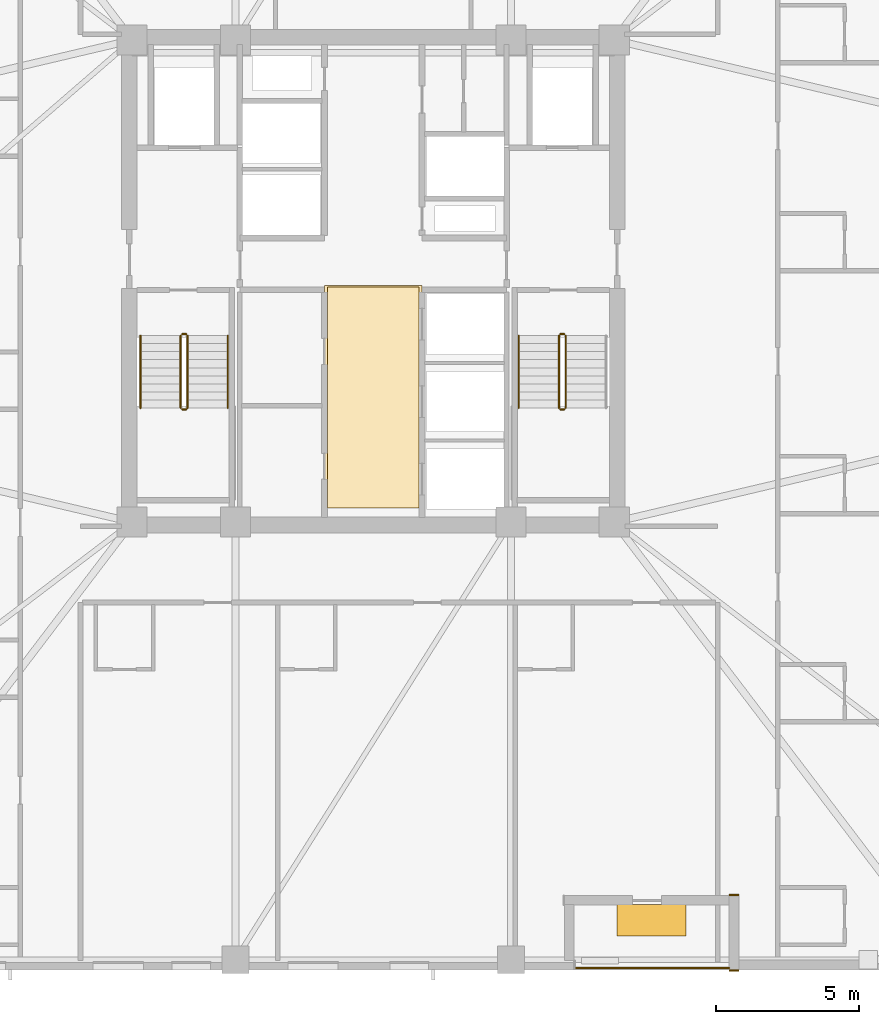
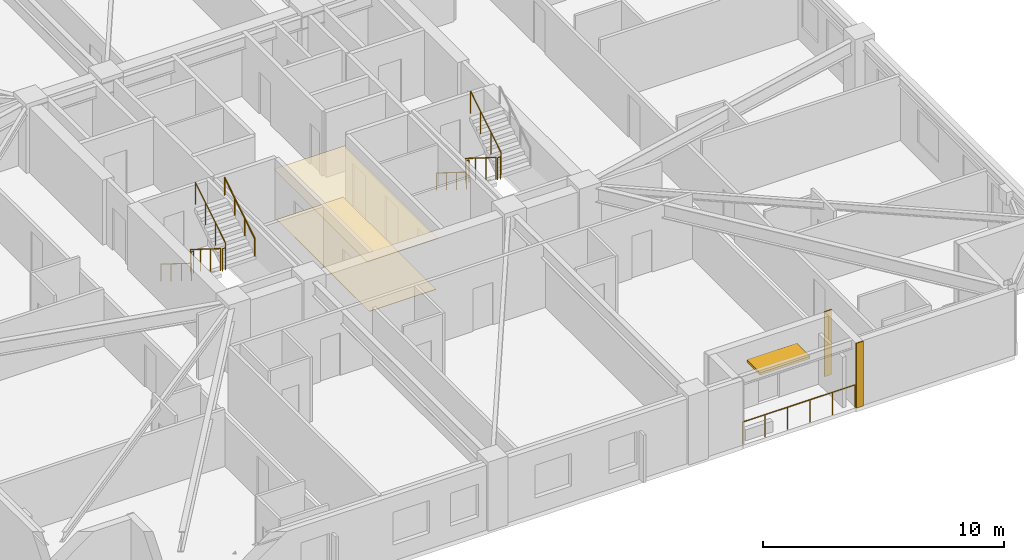
# One storey, part 8 of 11: 12 railings, 4 coverings, 1 shading device.
"""IFC4 building model written with IfcOpenShell, lengths in metres."""

from ifc_helpers import new_model, si_unit, direction, frame, frame_2d, origin, origin_2d, place, context, subcontext, project, spatial, polyline, rectangle, circle, outline, extrude, material, layer, layer_set, type_object, element, save


model = new_model("IFC4")

# Units and contexts
model_context = context("Model", 3, precision=1e-05, world=origin(), true_north=direction((0.0, 1.0)))
body_context = subcontext(model_context, "Body", "Model", "MODEL_VIEW")
ifc_project = project(units=[si_unit("LENGTHUNIT", "METRE"), si_unit("AREAUNIT", "SQUARE_METRE"), si_unit("VOLUMEUNIT", "CUBIC_METRE"), si_unit("PLANEANGLEUNIT", "RADIAN"), si_unit("MASSUNIT", "GRAM", prefix="KILO")], contexts=[model_context])

# Site, building, storey
site_placement = place(None, origin())
site = spatial("IfcSite", under=ifc_project, at=site_placement, CompositionType="ELEMENT")
building_placement = place(site_placement, origin())
building = spatial("IfcBuilding", under=site, at=building_placement, Name="Cairnveth Concourse Tower", CompositionType="ELEMENT")
storey_placement = place(building_placement, frame((0.0, 0.0, 169.0)))
storey = spatial("IfcBuildingStorey", under=building, at=storey_placement, Name="L46", CompositionType="ELEMENT", Elevation=169.0)

# Coverings
ifc_material_1 = material(Name="Acoustic Mineral Fibre Ceiling", Category="gypsum")
ifc_layer_1 = layer(ifc_material_1, 0.02490234375)
ifc_layer_set_1 = layer_set([ifc_layer_1], Name="Acoustic Mineral Fibre Ceiling")
covering_type_1 = type_object("IfcCoveringType", Name="ACOUSTIC MINERAL FIBRE CEILING 25", PredefinedType="CEILING", material=ifc_layer_set_1)
covering_1_placement = place(storey_placement, frame((0.0, 0.0, 2.5400390625)))
element("IfcCovering", 1, at=covering_1_placement, inside=storey, type_object=covering_type_1, Name="Lift Lobby Acoustic Ceiling L46", PredefinedType="CEILING", context=body_context, shape_type="SweptSolid", body=[
    extrude(outline(polyline([(50.300048828125, 31.10009765625), (53.699951171875, 31.10009765625), (53.699951171875, 38.85009765625), (50.300048828125, 38.85009765625), (50.300048828125, 31.10009765625)])), origin(), (0.0, 0.0, 1.0), 0.02490234375),
])
ifc_material_2 = material(Name="Dressed Melbourne Bluestone Cladding", Category="masonry")
ifc_layer_2 = layer(ifc_material_2, 0.050048828125)
ifc_layer_set_2 = layer_set([ifc_layer_2], Name="Dressed Melbourne Bluestone Cladding")
covering_type_2 = type_object("IfcCoveringType", Name="DRESSED BLUESTONE PLINTH CLADDING 50", PredefinedType="CLADDING", material=ifc_layer_set_2)
for number, where, z_axis, x_axis, name in (
    (2, (64.739990234375, 14.97998046875, 0.0), (0.0, 0.0, 1.0), (-1.0, 0.0, 0.0), "Melbourne Bluestone Corner Quoin L46-688"),
    (3, (64.739990234375, 17.610107421875, 0.0), (0.0, 0.0, 1.0), (-1.0, 0.0, 0.0), "Melbourne Bluestone Corner Quoin L46-689"),
):
    element("IfcCovering", number, at=place(storey_placement, frame(where, z_axis=z_axis, x_axis=x_axis)), inside=storey, type_object=covering_type_2, Name=name, PredefinedType="CLADDING", context=body_context, shape_type="SweptSolid", body=[
        extrude(rectangle(XDim=0.340087890625, YDim=0.050048828125, at=frame_2d((0.169921875, 0.0))), origin(), (0.0, 0.0, 1.0), 3.280029296875),
    ])

# Shading device
ifc_material_3 = material(Name="Architectural Bronze Anodised Aluminium 6063-T6", Category="aluminium")
shading_device_type = type_object("IfcShadingDeviceType", Name="SPIRAL TERRACE SUNSHADE CANOPY", PredefinedType="USERDEFINED", material=ifc_material_3)
shading_device_placement = place(storey_placement, frame((61.699951171875, 16.72998046875, 2.300048828125), z_axis=(0.0, 0.0, 1.0), x_axis=(1.0, 0.0, 0.0)))
element("IfcShadingDevice", 4, at=shading_device_placement, inside=storey, type_object=shading_device_type, Name="Spiral Terrace Sunshade L46", ObjectType="TERRACE SUNSHADE", PredefinedType="USERDEFINED", context=body_context, shape_type="SweptSolid", body=[
    extrude(rectangle(XDim=2.39990234375, YDim=1.10009765625, at=origin_2d()), origin(), (0.0, 0.0, 1.0), 0.1201171875),
])

# Railings
ifc_material_4 = material(Name="Steel Grade 350", Category="steel")
railing_type_1 = type_object("IfcRailingType", Name="STAIR GUARDRAIL 1150", PredefinedType="GUARDRAIL", material=ifc_material_4)
railing_1_placement = place(storey_placement, frame((45.2900390625, 37.10009765625, 0.175048828125)))
element("IfcRailing", 5, at=railing_1_placement, inside=storey, type_object=railing_type_1, Name="L46 ST-1 stair guard 1", PredefinedType="GUARDRAIL", context=body_context, shape_type="SweptSolid", body=[
    extrude(circle(Radius=0.02392578125, at=origin_2d()), frame((0.0, 0.0, 1.1259765625), z_axis=(0.0, -0.848007534815, 0.529984170421), x_axis=(1.0, 0.0, 0.0)), (0.0, 0.0, 1.0), 2.9716796875),
    extrude(circle(Radius=0.02099609375, at=origin_2d()), origin(), (0.0, 0.0, 1.0), 1.101806640625),
    extrude(circle(Radius=0.02099609375, at=origin_2d()), frame((0.0, -0.840087890625, 0.52490234375)), (0.0, 0.0, 1.0), 1.101806640625),
    extrude(circle(Radius=0.02099609375, at=origin_2d()), frame((0.0, -1.679931640625, 1.050048828125)), (0.0, 0.0, 1.0), 1.101806640625),
    extrude(circle(Radius=0.02099609375, at=origin_2d()), frame((0.0, -2.52001953125, 1.574951171875)), (0.0, 0.0, 1.0), 1.101806640625),
])
railing_2_placement = place(storey_placement, frame((45.340087890625, 34.530029296875, 1.75)))
element("IfcRailing", 6, at=railing_2_placement, inside=storey, type_object=railing_type_1, Name="L46 ST-1 stair guard 2", PredefinedType="GUARDRAIL", context=body_context, shape_type="SweptSolid", body=[
    extrude(circle(Radius=0.02392578125, at=origin_2d()), frame((0.0, 0.0, 1.1259765625), z_axis=(1.0, 0.0, 0.0), x_axis=(0.0, 1.0, 0.0)), (0.0, 0.0, 1.0), 0.139892578125),
    extrude(circle(Radius=0.02099609375, at=origin_2d()), origin(), (0.0, 0.0, 1.0), 1.101806640625),
    extrude(circle(Radius=0.02099609375, at=origin_2d()), frame((0.139892578125, 0.0, 0.0)), (0.0, 0.0, 1.0), 1.101806640625),
])
railing_3_placement = place(storey_placement, frame((45.530029296875, 34.580078125, 1.925048828125)))
element("IfcRailing", 7, at=railing_3_placement, inside=storey, type_object=railing_type_1, Name="L46 ST-1 stair guard 3", PredefinedType="GUARDRAIL", context=body_context, shape_type="SweptSolid", body=[
    extrude(circle(Radius=0.02392578125, at=origin_2d()), frame((0.0, 0.0, 1.1259765625), z_axis=(0.0, 0.848007534815, 0.529984170421), x_axis=(-1.0, 0.0, 0.0)), (0.0, 0.0, 1.0), 2.9716796875),
    extrude(circle(Radius=0.02099609375, at=origin_2d()), origin(), (0.0, 0.0, 1.0), 1.101806640625),
    extrude(circle(Radius=0.02099609375, at=origin_2d()), frame((0.0, 0.840087890625, 0.52490234375)), (0.0, 0.0, 1.0), 1.101806640625),
    extrude(circle(Radius=0.02099609375, at=origin_2d()), frame((0.0, 1.679931640625, 1.050048828125)), (0.0, 0.0, 1.0), 1.101806640625),
    extrude(circle(Radius=0.02099609375, at=origin_2d()), frame((0.0, 2.52001953125, 1.574951171875)), (0.0, 0.0, 1.0), 1.101806640625),
])
railing_4_placement = place(storey_placement, frame((45.340087890625, 37.14990234375, 0.0)))
element("IfcRailing", 8, at=railing_4_placement, inside=storey, type_object=railing_type_1, Name="L46 ST-1 stair guard 4", PredefinedType="GUARDRAIL", context=body_context, shape_type="SweptSolid", body=[
    extrude(circle(Radius=0.02392578125, at=origin_2d()), frame((0.0, 0.0, 1.1259765625), z_axis=(1.0, 0.0, 0.0), x_axis=(0.0, 1.0, 0.0)), (0.0, 0.0, 1.0), 0.139892578125),
    extrude(circle(Radius=0.02099609375, at=origin_2d()), origin(), (0.0, 0.0, 1.0), 1.101806640625),
    extrude(circle(Radius=0.02099609375, at=origin_2d()), frame((0.139892578125, 0.0, 0.0)), (0.0, 0.0, 1.0), 1.101806640625),
])
railing_5_placement = place(storey_placement, frame((58.469970703125, 37.10009765625, 0.175048828125)))
element("IfcRailing", 9, at=railing_5_placement, inside=storey, type_object=railing_type_1, Name="L46 ST-2 stair guard 1", PredefinedType="GUARDRAIL", context=body_context, shape_type="SweptSolid", body=[
    extrude(circle(Radius=0.02392578125, at=origin_2d()), frame((0.0, 0.0, 1.1259765625), z_axis=(0.0, -0.848007534815, 0.529984170421), x_axis=(1.0, 0.0, 0.0)), (0.0, 0.0, 1.0), 2.9716796875),
    extrude(circle(Radius=0.02099609375, at=origin_2d()), origin(), (0.0, 0.0, 1.0), 1.101806640625),
    extrude(circle(Radius=0.02099609375, at=origin_2d()), frame((0.0, -0.840087890625, 0.52490234375)), (0.0, 0.0, 1.0), 1.101806640625),
    extrude(circle(Radius=0.02099609375, at=origin_2d()), frame((0.0, -1.679931640625, 1.050048828125)), (0.0, 0.0, 1.0), 1.101806640625),
    extrude(circle(Radius=0.02099609375, at=origin_2d()), frame((0.0, -2.52001953125, 1.574951171875)), (0.0, 0.0, 1.0), 1.101806640625),
])
railing_6_placement = place(storey_placement, frame((58.52001953125, 34.530029296875, 1.75)))
element("IfcRailing", 10, at=railing_6_placement, inside=storey, type_object=railing_type_1, Name="L46 ST-2 stair guard 2", PredefinedType="GUARDRAIL", context=body_context, shape_type="SweptSolid", body=[
    extrude(circle(Radius=0.02392578125, at=origin_2d()), frame((0.0, 0.0, 1.1259765625), z_axis=(1.0, 0.0, 0.0), x_axis=(0.0, 1.0, 0.0)), (0.0, 0.0, 1.0), 0.139892578125),
    extrude(circle(Radius=0.02099609375, at=origin_2d()), origin(), (0.0, 0.0, 1.0), 1.101806640625),
    extrude(circle(Radius=0.02099609375, at=origin_2d()), frame((0.139892578125, 0.0, 0.0)), (0.0, 0.0, 1.0), 1.101806640625),
])
railing_7_placement = place(storey_placement, frame((58.7099609375, 34.580078125, 1.925048828125)))
element("IfcRailing", 11, at=railing_7_placement, inside=storey, type_object=railing_type_1, Name="L46 ST-2 stair guard 3", PredefinedType="GUARDRAIL", context=body_context, shape_type="SweptSolid", body=[
    extrude(circle(Radius=0.02392578125, at=origin_2d()), frame((0.0, 0.0, 1.1259765625), z_axis=(0.0, 0.848007534815, 0.529984170421), x_axis=(-1.0, 0.0, 0.0)), (0.0, 0.0, 1.0), 2.9716796875),
    extrude(circle(Radius=0.02099609375, at=origin_2d()), origin(), (0.0, 0.0, 1.0), 1.101806640625),
    extrude(circle(Radius=0.02099609375, at=origin_2d()), frame((0.0, 0.840087890625, 0.52490234375)), (0.0, 0.0, 1.0), 1.101806640625),
    extrude(circle(Radius=0.02099609375, at=origin_2d()), frame((0.0, 1.679931640625, 1.050048828125)), (0.0, 0.0, 1.0), 1.101806640625),
    extrude(circle(Radius=0.02099609375, at=origin_2d()), frame((0.0, 2.52001953125, 1.574951171875)), (0.0, 0.0, 1.0), 1.101806640625),
])
railing_8_placement = place(storey_placement, frame((58.52001953125, 37.14990234375, 0.0)))
element("IfcRailing", 12, at=railing_8_placement, inside=storey, type_object=railing_type_1, Name="L46 ST-2 stair guard 4", PredefinedType="GUARDRAIL", context=body_context, shape_type="SweptSolid", body=[
    extrude(circle(Radius=0.02392578125, at=origin_2d()), frame((0.0, 0.0, 1.1259765625), z_axis=(1.0, 0.0, 0.0), x_axis=(0.0, 1.0, 0.0)), (0.0, 0.0, 1.0), 0.139892578125),
    extrude(circle(Radius=0.02099609375, at=origin_2d()), origin(), (0.0, 0.0, 1.0), 1.101806640625),
    extrude(circle(Radius=0.02099609375, at=origin_2d()), frame((0.139892578125, 0.0, 0.0)), (0.0, 0.0, 1.0), 1.101806640625),
])
railing_type_2 = type_object("IfcRailingType", Name="STAIR WALL HANDRAIL 900", PredefinedType="HANDRAIL", material=ifc_material_4)
railing_9_placement = place(storey_placement, frame((43.889892578125, 37.10009765625, 0.175048828125)))
element("IfcRailing", 13, at=railing_9_placement, inside=storey, type_object=railing_type_2, Name="L46 ST-1 stair handrail 1", PredefinedType="HANDRAIL", context=body_context, shape_type="SweptSolid", body=[
    extrude(circle(Radius=0.02392578125, at=origin_2d()), frame((0.0, 0.0, 0.8759765625), z_axis=(0.0, -0.848007534815, 0.529984170421), x_axis=(1.0, 0.0, 0.0)), (0.0, 0.0, 1.0), 2.9716796875),
    extrude(circle(Radius=0.02099609375, at=origin_2d()), origin(), (0.0, 0.0, 1.0), 0.851806640625),
    extrude(circle(Radius=0.02099609375, at=origin_2d()), frame((0.0, -0.840087890625, 0.52490234375)), (0.0, 0.0, 1.0), 0.851806640625),
    extrude(circle(Radius=0.02099609375, at=origin_2d()), frame((0.0, -1.679931640625, 1.050048828125)), (0.0, 0.0, 1.0), 0.851806640625),
    extrude(circle(Radius=0.02099609375, at=origin_2d()), frame((0.0, -2.52001953125, 1.574951171875)), (0.0, 0.0, 1.0), 0.851806640625),
])
railing_10_placement = place(storey_placement, frame((46.929931640625, 34.580078125, 1.925048828125)))
element("IfcRailing", 14, at=railing_10_placement, inside=storey, type_object=railing_type_2, Name="L46 ST-1 stair handrail 2", PredefinedType="HANDRAIL", context=body_context, shape_type="SweptSolid", body=[
    extrude(circle(Radius=0.02392578125, at=origin_2d()), frame((0.0, 0.0, 0.8759765625), z_axis=(0.0, 0.848007534815, 0.529984170421), x_axis=(-1.0, 0.0, 0.0)), (0.0, 0.0, 1.0), 2.9716796875),
    extrude(circle(Radius=0.02099609375, at=origin_2d()), origin(), (0.0, 0.0, 1.0), 0.851806640625),
    extrude(circle(Radius=0.02099609375, at=origin_2d()), frame((0.0, 0.840087890625, 0.52490234375)), (0.0, 0.0, 1.0), 0.851806640625),
    extrude(circle(Radius=0.02099609375, at=origin_2d()), frame((0.0, 1.679931640625, 1.050048828125)), (0.0, 0.0, 1.0), 0.851806640625),
    extrude(circle(Radius=0.02099609375, at=origin_2d()), frame((0.0, 2.52001953125, 1.574951171875)), (0.0, 0.0, 1.0), 0.851806640625),
])
railing_11_placement = place(storey_placement, frame((57.070068359375, 37.10009765625, 0.175048828125)))
element("IfcRailing", 15, at=railing_11_placement, inside=storey, type_object=railing_type_2, Name="L46 ST-2 stair handrail 1", PredefinedType="HANDRAIL", context=body_context, shape_type="SweptSolid", body=[
    extrude(circle(Radius=0.02392578125, at=origin_2d()), frame((0.0, 0.0, 0.8759765625), z_axis=(0.0, -0.848007534815, 0.529984170421), x_axis=(1.0, 0.0, 0.0)), (0.0, 0.0, 1.0), 2.9716796875),
    extrude(circle(Radius=0.02099609375, at=origin_2d()), origin(), (0.0, 0.0, 1.0), 0.851806640625),
    extrude(circle(Radius=0.02099609375, at=origin_2d()), frame((0.0, -0.840087890625, 0.52490234375)), (0.0, 0.0, 1.0), 0.851806640625),
    extrude(circle(Radius=0.02099609375, at=origin_2d()), frame((0.0, -1.679931640625, 1.050048828125)), (0.0, 0.0, 1.0), 0.851806640625),
    extrude(circle(Radius=0.02099609375, at=origin_2d()), frame((0.0, -2.52001953125, 1.574951171875)), (0.0, 0.0, 1.0), 0.851806640625),
])
railing_type_3 = type_object("IfcRailingType", Name="TERRACE BRONZE BALUSTRADE 1150", PredefinedType="BALUSTRADE", material=ifc_material_3)
railing_12_placement = place(storey_placement, frame((59.0, 15.06005859375, 0.0)))
element("IfcRailing", 16, at=railing_12_placement, inside=storey, type_object=railing_type_3, Name="Terrace Balustrade RL-L46-TERR", PredefinedType="BALUSTRADE", context=body_context, shape_type="SweptSolid", body=[
    extrude(circle(Radius=0.02490234375, at=origin_2d()), frame((0.0, 0.0, 1.125), z_axis=(1.0, 0.0, 0.0), x_axis=(0.0, 1.0, 0.0)), (0.0, 0.0, 1.0), 5.39990234375),
    extrude(circle(Radius=0.02099609375, at=origin_2d()), origin(), (0.0, 0.0, 1.0), 1.099853515625),
    extrude(circle(Radius=0.02099609375, at=origin_2d()), frame((1.080078125, 0.0, 0.0)), (0.0, 0.0, 1.0), 1.099853515625),
    extrude(circle(Radius=0.02099609375, at=origin_2d()), frame((2.159912109375, 0.0, 0.0)), (0.0, 0.0, 1.0), 1.099853515625),
    extrude(circle(Radius=0.02099609375, at=origin_2d()), frame((3.239990234375, 0.0, 0.0)), (0.0, 0.0, 1.0), 1.099853515625),
    extrude(circle(Radius=0.02099609375, at=origin_2d()), frame((4.31982421875, 0.0, 0.0)), (0.0, 0.0, 1.0), 1.099853515625),
    extrude(circle(Radius=0.02099609375, at=origin_2d()), frame((5.39990234375, 0.0, 0.0)), (0.0, 0.0, 1.0), 1.099853515625),
])

# Covering
ifc_material_5 = material(Name="Vitrified Stoneware Tile Flooring", Category="masonry")
ifc_layer_3 = layer(ifc_material_5, 0.02001953125)
ifc_layer_set_3 = layer_set([ifc_layer_3], Name="Vitrified Stoneware Tile Flooring")
covering_type_3 = type_object("IfcCoveringType", Name="VITRIFIED STONEWARE LOBBY FLOORING 20", PredefinedType="FLOORING", material=ifc_layer_set_3)
covering_2_placement = place(storey_placement, origin())
element("IfcCovering", 17, at=covering_2_placement, inside=storey, type_object=covering_type_3, Name="Lift Lobby Stoneware Flooring L46", PredefinedType="FLOORING", context=body_context, shape_type="SweptSolid", body=[
    extrude(outline(polyline([(50.39990234375, 31.10009765625), (53.60009765625, 31.10009765625), (53.60009765625, 38.800048828125), (50.39990234375, 38.800048828125), (50.39990234375, 31.10009765625)])), origin(), (0.0, 0.0, 1.0), 0.02001953125),
])

save(model, "model.ifc")
